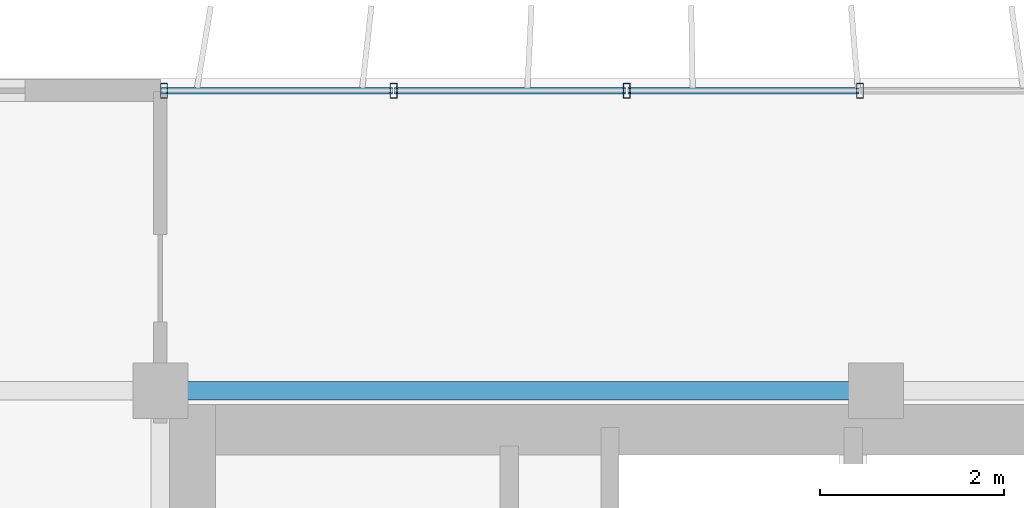
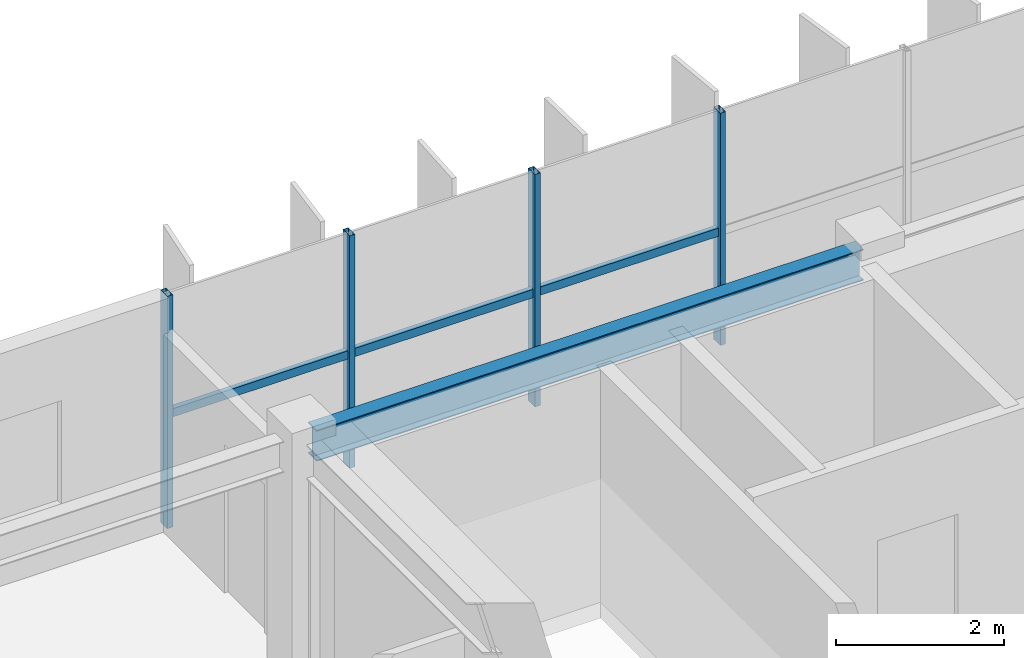
# One storey, part 6 of 22: 7 members, 1 beam, 1 element without a shape of its own.
"""IFC4 building model written with IfcOpenShell, lengths in metres."""

import ifcopenshell
import ifcopenshell.guid

model = None  # the IFC model being written
_history = None  # IfcOwnerHistory: only IFC2X3 demands one
_inside = {}  # id of a spatial element -> (the spatial element, [elements in it])
_under = {}  # id of a project, library or spatial element -> (it, [spatial elements below it])
_declared = {}  # id of a project -> (the project, [libraries it declares])
_typed = {}  # id of a type object -> (the type object, [elements of that type])
_made_of = {}  # id of a material, layer set ... -> (it, [elements and type objects made of it])


def new_model(schema):
    """Start an empty IFC model of exactly this schema.

    Asked for "IFC4X3", IfcOpenShell would pick the latest addendum, in which some entities
    have other attributes; the version numbers below select the first issue.
    IFC2X3 requires an IfcOwnerHistory on every rooted entity: one is made here for all.
    """
    global model, _history
    if schema == "IFC4X3":
        model = ifcopenshell.file(schema_version=(4, 3, 0, 0))
    else:
        model = ifcopenshell.file(schema=schema)
    _inside.clear()
    _under.clear()
    _declared.clear()
    _typed.clear()
    _made_of.clear()
    _history = None
    if model.schema == "IFC2X3":
        org = make("IfcOrganization", Name="unknown")
        user = make(
            "IfcPersonAndOrganization",
            ThePerson=make("IfcPerson", FamilyName="unknown"),
            TheOrganization=org,
        )
        app = make(
            "IfcApplication",
            ApplicationDeveloper=org,
            Version="unknown",
            ApplicationFullName="unknown",
            ApplicationIdentifier="unknown",
        )
        _history = make(
            "IfcOwnerHistory",
            OwningUser=user,
            OwningApplication=app,
            ChangeAction="ADDED",
            CreationDate=0,
        )
    return model


def make(cls, **values):
    """One entity of the class cls with the attributes given. An attribute that is None is left unset."""
    return model.create_entity(
        cls, **{name: value for name, value in values.items() if value is not None}
    )


def rooted(cls, **values):
    """An entity with a GlobalId (a new one), such as an element, a storey or a relation."""
    return make(cls, GlobalId=ifcopenshell.guid.new(), OwnerHistory=_history, **values)


def si_unit(unit_type, name, prefix=None):
    """IfcSIUnit, for example si_unit("LENGTHUNIT", "METRE", prefix="MILLI")."""
    return make("IfcSIUnit", UnitType=unit_type, Prefix=prefix, Name=name)


def assignment(units):
    """IfcUnitAssignment: the units of a project."""
    return None if units is None else make("IfcUnitAssignment", Units=units)


def point(xyz):
    """IfcCartesianPoint."""
    return None if xyz is None else make("IfcCartesianPoint", Coordinates=xyz)


def direction(xyz):
    """IfcDirection."""
    return None if xyz is None else make("IfcDirection", DirectionRatios=xyz)


def frame(location, z_axis=None, x_axis=None):
    """IfcAxis2Placement3D, a coordinate frame: its origin and axes. An axis left out is left unset."""
    return make(
        "IfcAxis2Placement3D",
        Location=point(location),
        Axis=direction(z_axis),
        RefDirection=direction(x_axis),
    )


def frame_2d(location, x_axis=None):
    """IfcAxis2Placement2D, a coordinate frame in the plane: its origin and x axis."""
    return make(
        "IfcAxis2Placement2D", Location=point(location), RefDirection=direction(x_axis)
    )


def origin():
    """The frame at (0, 0, 0) with its axes left unset."""
    return frame((0.0, 0.0, 0.0))


def origin_2d():
    """The frame at (0, 0) in the plane with its x axis left unset."""
    return frame_2d((0.0, 0.0))


def place(relative_to, where):
    """IfcLocalPlacement: puts the frame where relative to a parent placement (None: the world)."""
    return make(
        "IfcLocalPlacement", PlacementRelTo=relative_to, RelativePlacement=where
    )


def context(
    kind, dimensions, precision=None, world=None, true_north=None, identifier=None
):
    """IfcGeometricRepresentationContext, for example the 3D "Model" context."""
    return make(
        "IfcGeometricRepresentationContext",
        ContextIdentifier=identifier,
        ContextType=kind,
        CoordinateSpaceDimension=dimensions,
        Precision=precision,
        WorldCoordinateSystem=world,
        TrueNorth=true_north,
    )


def subcontext(parent, identifier, kind, view, scale=None):
    """IfcGeometricRepresentationSubContext, for example "Body" below "Model"."""
    return make(
        "IfcGeometricRepresentationSubContext",
        ContextIdentifier=identifier,
        ContextType=kind,
        ParentContext=parent,
        TargetScale=scale,
        TargetView=view,
    )


def project(units=None, contexts=None):
    """IfcProject with its units and contexts."""
    return rooted(
        "IfcProject",
        Name="project",
        RepresentationContexts=contexts,
        UnitsInContext=assignment(units),
    )


def spatial(cls, under=None, at=None, **own):
    """A site, building, storey or space (cls), placed at a placement, below another one or the project."""
    s = rooted(cls, ObjectPlacement=at, **own)
    if under is not None:
        _under.setdefault(under.id(), (under, []))[1].append(s)
    return s


def profile(cls, at=None, kind="AREA", **sizes):
    """A parametric profile (cls). Its sizes go by their IFC names, for example OverallWidth=200.0."""
    return make(cls, ProfileType=kind, Position=at, **sizes)


def hollow_rectangle(**sizes):
    """IfcRectangleHollowProfileDef."""
    return profile("IfcRectangleHollowProfileDef", **sizes)


def i_section(**sizes):
    """IfcIShapeProfileDef."""
    return profile("IfcIShapeProfileDef", **sizes)


def extrude(swept, where, along, depth):
    """IfcExtrudedAreaSolid: the profile swept, set in the frame where, extruded along a direction by depth."""
    return make(
        "IfcExtrudedAreaSolid",
        SweptArea=swept,
        Position=where,
        ExtrudedDirection=direction(along),
        Depth=depth,
    )


def shape(context_of_items, identifier, shape_type, items):
    """IfcShapeRepresentation: the items that make up one representation, for example the "Body"."""
    return make(
        "IfcShapeRepresentation",
        ContextOfItems=context_of_items,
        RepresentationIdentifier=identifier,
        RepresentationType=shape_type,
        Items=items,
    )


def source(mapping_origin, context_of_items, identifier, shape_type, items):
    """IfcRepresentationMap: a shape defined once, which mapped items show again and again."""
    return make(
        "IfcRepresentationMap",
        MappingOrigin=mapping_origin,
        MappedRepresentation=shape(context_of_items, identifier, shape_type, items),
    )


def transform(
    local_origin,
    x_axis=None,
    y_axis=None,
    z_axis=None,
    scale=None,
    scale2=None,
    scale3=None,
    uniform=True,
):
    """IfcCartesianTransformationOperator3D, or its non-uniform kind. x_axis, y_axis, z_axis: its Axis1, 2, 3."""
    if uniform:
        return make(
            "IfcCartesianTransformationOperator3D",
            Axis1=direction(x_axis),
            Axis2=direction(y_axis),
            LocalOrigin=point(local_origin),
            Scale=scale,
            Axis3=direction(z_axis),
        )
    return make(
        "IfcCartesianTransformationOperator3DnonUniform",
        Axis1=direction(x_axis),
        Axis2=direction(y_axis),
        LocalOrigin=point(local_origin),
        Scale=scale,
        Axis3=direction(z_axis),
        Scale2=scale2,
        Scale3=scale3,
    )


def mapped(mapping_source, mapping_target):
    """IfcMappedItem: shows the shape of a source again, moved by a transform."""
    return make(
        "IfcMappedItem", MappingSource=mapping_source, MappingTarget=mapping_target
    )


def material(Name=None, Category=None):
    """IfcMaterial."""
    return make("IfcMaterial", Name=Name, Category=Category)


def material_profile(
    of_material, cross_section, Name=None, Category=None, Priority=None
):
    """IfcMaterialProfile: a cross section and its material."""
    return make(
        "IfcMaterialProfile",
        Name=Name,
        Material=of_material,
        Profile=cross_section,
        Priority=Priority,
        Category=Category,
    )


def profile_set(profiles, Name=None, composite=None):
    """IfcMaterialProfileSet."""
    return make(
        "IfcMaterialProfileSet",
        Name=Name,
        MaterialProfiles=profiles,
        CompositeProfile=composite,
    )


def made_of(thing, what):
    """Note that an element or type object is made of a material, layer set ...; save() writes the relation."""
    if what is not None:
        _made_of.setdefault(what.id(), (what, []))[1].append(thing)
    return thing


def type_object(cls, material=None, **own):
    """A type object (cls), such as IfcWallType, which elements share."""
    return made_of(rooted(cls, **own), material)


def element(
    cls,
    number,
    at=None,
    inside=None,
    cuts=None,
    type_object=None,
    material=None,
    context=None,
    identifier="Body",
    shape_type=None,
    held_by="IfcProductDefinitionShape",
    body=None,
    shapes=None,
    **own,
):
    """One element of the class cls, such as IfcWall. Its Tag is "e" and its number.

    at: its placement. inside: the storey or other place that contains it. cuts: it is an
    opening in that element (IfcRelVoidsElement). A single representation is given by context,
    identifier, shape_type and body (its items); several are given by shapes. held_by: the class
    of the entity that holds the representations. save() writes the other relations.
    """
    e = rooted(cls, Tag="e%d" % number, ObjectPlacement=at, **own)
    if body is not None:
        shapes = [shape(context, identifier, shape_type, body)]
    if shapes is not None:
        e.Representation = make(held_by, Representations=shapes)
    if inside is not None:
        _inside.setdefault(inside.id(), (inside, []))[1].append(e)
    if cuts is not None:
        rooted(
            "IfcRelVoidsElement", RelatingBuildingElement=cuts, RelatedOpeningElement=e
        )
    if type_object is not None:
        _typed.setdefault(type_object.id(), (type_object, []))[1].append(e)
    return made_of(e, material)


def aggregate(whole, parts):
    """IfcRelAggregates: a whole, such as a stair, and the parts it consists of."""
    return rooted("IfcRelAggregates", RelatingObject=whole, RelatedObjects=parts)


def save(model, path):
    """Write the relations noted so far, then the file.

    IfcRelAggregates (storeys below a building ...), IfcRelContainedInSpatialStructure (elements
    in a storey), IfcRelDefinesByType, IfcRelAssociatesMaterial and IfcRelDeclares: one each for
    every whole, place, type object, material and project.
    """
    for whole, parts in _under.values():
        aggregate(whole, parts)
    for where, things in _inside.values():
        rooted(
            "IfcRelContainedInSpatialStructure",
            RelatedElements=things,
            RelatingStructure=where,
        )
    for kind, things in _typed.values():
        rooted("IfcRelDefinesByType", RelatedObjects=things, RelatingType=kind)
    for what, things in _made_of.values():
        rooted("IfcRelAssociatesMaterial", RelatedObjects=things, RelatingMaterial=what)
    for by, libraries in _declared.values():
        rooted("IfcRelDeclares", RelatingContext=by, RelatedDefinitions=libraries)
    model.write(path)


model = new_model("IFC4")

# Units and contexts
model_context = context("Model", 3, precision=1e-05, world=origin(), true_north=direction((0.0, 1.0)))
body_context = subcontext(model_context, "Body", "Model", "MODEL_VIEW")
ifc_project = project(units=[si_unit("LENGTHUNIT", "METRE"), si_unit("AREAUNIT", "SQUARE_METRE"), si_unit("VOLUMEUNIT", "CUBIC_METRE"), si_unit("PLANEANGLEUNIT", "RADIAN"), si_unit("MASSUNIT", "GRAM", prefix="KILO")], contexts=[model_context])

# Site, building, storey
site_placement = place(None, origin())
site = spatial("IfcSite", under=ifc_project, at=site_placement, CompositionType="ELEMENT")
building_placement = place(site_placement, origin())
building = spatial("IfcBuilding", under=site, at=building_placement, Name="Trelvane Seafront Commons", CompositionType="ELEMENT")
storey_placement = place(building_placement, frame((0.0, 0.0, 281.10009765625)))
storey = spatial("IfcBuildingStorey", under=building, at=storey_placement, Name="L73", CompositionType="ELEMENT", Elevation=281.10009765625)

# Beam
ifc_material_1 = material(Name="Steel SM355 (S355)", Category="steel")
ifc_material_profile_1 = material_profile(ifc_material_1, i_section(OverallWidth=0.199951171875, OverallDepth=0.449951171875, WebThickness=0.009033203125, FlangeThickness=0.013916015625, at=origin_2d()), Name="H-450x200x9x14")
ifc_profile_set_1 = profile_set([ifc_material_profile_1], Name="Steel SM355 (S355)")
beam_type = type_object("IfcBeamType", Name="STR-SPD-H450", PredefinedType="SPANDREL", material=ifc_profile_set_1)
shared_shape_1 = source(origin(), body_context, "Body", "SweptSolid", [
    extrude(i_section(OverallWidth=0.199951171875, OverallDepth=0.449951171875, WebThickness=0.009033203125, FlangeThickness=0.013916015625, at=origin_2d()), origin(), (0.0, 0.0, 1.0), 7.5),
])
beam_placement = place(storey_placement, frame((15.75, 45.10009765625, 3.14501953125), z_axis=(1.0, 0.0, 0.0), x_axis=(0.0, 1.0, 0.0)))
element("IfcBeam", 1, at=beam_placement, inside=storey, type_object=beam_type, Name="L73 Primary Girder G-23", PredefinedType="SPANDREL", context=body_context, shape_type="MappedRepresentation", body=[
    mapped(shared_shape_1, transform((0.0, 0.0, 0.0), x_axis=(1.0, 0.0, 0.0), y_axis=(0.0, 1.0, 0.0), z_axis=(0.0, 0.0, 1.0), scale=1.0)),
])

# Curtain wall, members
ifc_material_2 = material(Name="Anodised pale-silver aluminium", Category="aluminium")
curtain_wall_type = type_object("IfcCurtainWallType", Name="ARCH-CW5-UPTOWER", PredefinedType="NOTDEFINED", material=ifc_material_2)
curtain_wall_placement = place(storey_placement, origin())
curtain_wall = element("IfcCurtainWall", 2, at=curtain_wall_placement, inside=storey, type_object=curtain_wall_type, Name="CW-L73-0117", PredefinedType="NOTDEFINED")
ifc_material_profile_2 = material_profile(ifc_material_2, hollow_rectangle(XDim=0.070068359375, YDim=0.1201171875, WallThickness=0.00390625, at=origin_2d()), Name="TRAN-70x120x4")
ifc_profile_set_2 = profile_set([ifc_material_profile_2], Name="Anodised pale-silver aluminium")
member_type_1 = type_object("IfcMemberType", Name="ARCH-CW-TRAN-120", PredefinedType="USERDEFINED", material=ifc_profile_set_2)
shared_shape_2 = source(origin(), body_context, "Body", "SweptSolid", [
    extrude(hollow_rectangle(XDim=0.070068359375, YDim=0.1201171875, WallThickness=0.00390625, at=origin_2d()), origin(), (0.0, 0.0, 1.0), 2.51708984375),
])
member_1_placement = place(storey_placement, frame((15.612060546875, 48.3701171875, 1.617919921875), z_axis=(1.0, 0.0, 0.0), x_axis=(0.0, 1.0, 0.0)))
member_1 = element("IfcMember", 3, at=member_1_placement, type_object=member_type_1, Name="CW-L73-0117-T00", ObjectType="TRANSOM", PredefinedType="USERDEFINED", context=body_context, shape_type="MappedRepresentation", body=[
    mapped(shared_shape_2, transform((0.0, 0.0, 0.0), x_axis=(1.0, 0.0, 0.0), y_axis=(0.0, 1.0, 0.0), z_axis=(0.0, 0.0, 1.0), scale=1.0)),
])
member_2_placement = place(storey_placement, frame((18.1533203125, 48.3701171875, 1.617919921875), z_axis=(1.0, 0.0, 0.0), x_axis=(0.0, 1.0, 0.0)))
member_2 = element("IfcMember", 4, at=member_2_placement, type_object=member_type_1, Name="CW-L73-0117-T01", ObjectType="TRANSOM", PredefinedType="USERDEFINED", context=body_context, shape_type="MappedRepresentation", body=[
    mapped(shared_shape_2, transform((0.0, 0.0, 0.0), x_axis=(1.0, 0.0, 0.0), y_axis=(0.0, 1.0, 0.0), z_axis=(0.0, 0.0, 1.0), scale=1.0)),
])
member_3_placement = place(storey_placement, frame((20.6943359375, 48.3701171875, 1.617919921875), z_axis=(1.0, 0.0, 0.0), x_axis=(0.0, 1.0, 0.0)))
member_3 = element("IfcMember", 5, at=member_3_placement, type_object=member_type_1, Name="CW-L73-0117-T02", ObjectType="TRANSOM", PredefinedType="USERDEFINED", context=body_context, shape_type="MappedRepresentation", body=[
    mapped(shared_shape_2, transform((0.0, 0.0, 0.0), x_axis=(1.0, 0.0, 0.0), y_axis=(0.0, 1.0, 0.0), z_axis=(0.0, 0.0, 1.0), scale=1.0)),
])
ifc_material_profile_3 = material_profile(ifc_material_2, hollow_rectangle(XDim=0.074951171875, YDim=0.159912109375, WallThickness=0.00390625, at=origin_2d()), Name="MULL-75x160x4")
ifc_profile_set_3 = profile_set([ifc_material_profile_3], Name="Anodised pale-silver aluminium")
member_type_2 = type_object("IfcMemberType", Name="ARCH-CW-MULL-160", PredefinedType="MULLION", material=ifc_profile_set_3)
shared_shape_3 = source(origin(), body_context, "Body", "SweptSolid", [
    extrude(hollow_rectangle(XDim=0.074951171875, YDim=0.159912109375, WallThickness=0.00390625, at=origin_2d()), origin(), (0.0, 0.0, 1.0), 3.369873046875),
])
member_4_placement = place(storey_placement, frame((15.639892578125, 48.3701171875, 0.0), z_axis=(0.0, 0.0, 1.0), x_axis=(1.0, 0.0, 0.0)))
member_4 = element("IfcMember", 6, at=member_4_placement, type_object=member_type_2, Name="CW-L73-0117-M00", PredefinedType="MULLION", context=body_context, shape_type="MappedRepresentation", body=[
    mapped(shared_shape_3, transform((0.0, 0.0, 0.0), x_axis=(1.0, 0.0, 0.0), y_axis=(0.0, 1.0, 0.0), z_axis=(0.0, 0.0, 1.0), scale=1.0)),
])
member_5_placement = place(storey_placement, frame((18.14111328125, 48.3701171875, 0.0), z_axis=(0.0, 0.0, 1.0), x_axis=(1.0, 0.0, 0.0)))
member_5 = element("IfcMember", 7, at=member_5_placement, type_object=member_type_2, Name="CW-L73-0117-M01", PredefinedType="MULLION", context=body_context, shape_type="MappedRepresentation", body=[
    mapped(shared_shape_3, transform((0.0, 0.0, 0.0), x_axis=(1.0, 0.0, 0.0), y_axis=(0.0, 1.0, 0.0), z_axis=(0.0, 0.0, 1.0), scale=1.0)),
])
member_6_placement = place(storey_placement, frame((20.682373046875, 48.3701171875, 0.0), z_axis=(0.0, 0.0, 1.0), x_axis=(1.0, 0.0, 0.0)))
member_6 = element("IfcMember", 8, at=member_6_placement, type_object=member_type_2, Name="CW-L73-0117-M02", PredefinedType="MULLION", context=body_context, shape_type="MappedRepresentation", body=[
    mapped(shared_shape_3, transform((0.0, 0.0, 0.0), x_axis=(1.0, 0.0, 0.0), y_axis=(0.0, 1.0, 0.0), z_axis=(0.0, 0.0, 1.0), scale=1.0)),
])
member_7_placement = place(storey_placement, frame((23.223388671875, 48.3701171875, 0.0), z_axis=(0.0, 0.0, 1.0), x_axis=(1.0, 0.0, 0.0)))
member_7 = element("IfcMember", 9, at=member_7_placement, type_object=member_type_2, Name="CW-L73-0117-M03", PredefinedType="MULLION", context=body_context, shape_type="MappedRepresentation", body=[
    mapped(shared_shape_3, transform((0.0, 0.0, 0.0), x_axis=(1.0, 0.0, 0.0), y_axis=(0.0, 1.0, 0.0), z_axis=(0.0, 0.0, 1.0), scale=1.0)),
])
aggregate(curtain_wall, [member_4, member_5, member_6, member_7, member_1, member_2, member_3])

save(model, "model.ifc")
